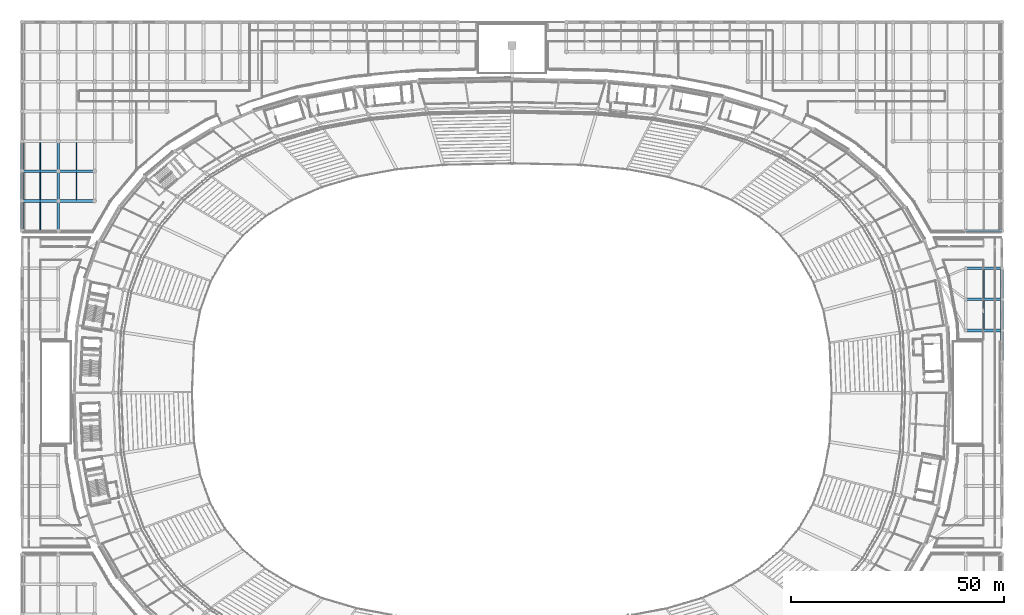
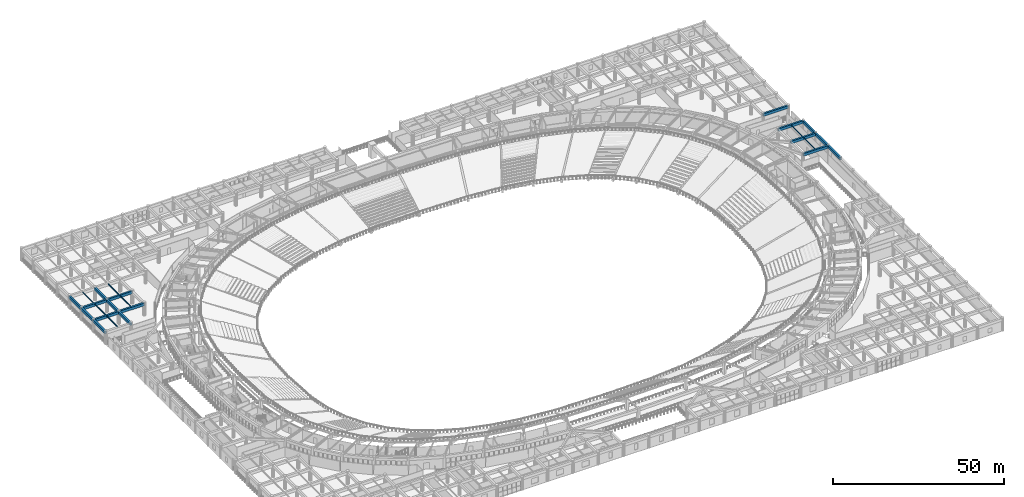
# One storey, part 51 of 137: 24 beams.
"""IFC4 building model written with IfcOpenShell, lengths in metres."""

from ifc_helpers import new_model, si_unit, direction, frame, origin, origin_2d, place, context, subcontext, project, spatial, rectangle, i_section, extrude, material, material_profile, profile_set, type_object, element, save


model = new_model("IFC4")

# Units and contexts
model_context = context("Model", 3, precision=1e-05, world=origin(), true_north=direction((0.0, 1.0)))
body_context = subcontext(model_context, "Body", "Model", "MODEL_VIEW")
ifc_project = project(units=[si_unit("LENGTHUNIT", "METRE"), si_unit("AREAUNIT", "SQUARE_METRE"), si_unit("VOLUMEUNIT", "CUBIC_METRE"), si_unit("PLANEANGLEUNIT", "RADIAN"), si_unit("MASSUNIT", "GRAM", prefix="KILO")], contexts=[model_context])

# Site, building, storey
site_placement = place(None, origin())
site = spatial("IfcSite", under=ifc_project, at=site_placement, CompositionType="ELEMENT")
building_placement = place(site_placement, origin())
building = spatial("IfcBuilding", under=site, at=building_placement, Name="Mphavela Belvedere Stadium", CompositionType="ELEMENT")
storey_placement = place(building_placement, frame((0.0, 0.0, 19.199951171875)))
storey = spatial("IfcBuildingStorey", under=building, at=storey_placement, Name="L04", CompositionType="ELEMENT", Elevation=19.199951171875)

# Beams
ifc_material_1 = material(Name="Concrete C40/50", Category="concrete")
ifc_material_profile_1 = material_profile(ifc_material_1, rectangle(XDim=0.60009765625, YDim=0.949951171875, at=origin_2d()), Name="RC 600x950")
ifc_profile_set_1 = profile_set([ifc_material_profile_1], Name="Concrete C40/50")
beam_type_1 = type_object("IfcBeamType", Name="BM-ENTABLATURE-950", PredefinedType="SPANDREL", material=ifc_profile_set_1)
beam_1_placement = place(storey_placement, frame((0.0, 125.0, 4.06494140625), z_axis=(0.0, 1.0, 0.0), x_axis=(-1.0, 0.0, 0.0)))
element("IfcBeam", 1, at=beam_1_placement, inside=storey, type_object=beam_type_1, Name="North Mast and Ceremonial End Forecourt entablature beam Y L04 1-1", PredefinedType="SPANDREL", context=body_context, shape_type="SweptSolid", body=[
    extrude(rectangle(XDim=0.60009765625, YDim=0.949951171875, at=origin_2d()), origin(), (0.0, 0.0, 1.0), 7.0),
])
beam_2_placement = place(storey_placement, frame((0.0, 132.0, 4.06494140625), z_axis=(1.0, 0.0, 0.0), x_axis=(0.0, 1.0, 0.0)))
element("IfcBeam", 2, at=beam_2_placement, inside=storey, type_object=beam_type_1, Name="North Mast and Ceremonial End Forecourt entablature beam X L04 1-2", PredefinedType="SPANDREL", context=body_context, shape_type="SweptSolid", body=[
    extrude(rectangle(XDim=0.60009765625, YDim=0.949951171875, at=origin_2d()), origin(), (0.0, 0.0, 1.0), 8.51904296875),
])
beam_3_placement = place(storey_placement, frame((0.0, 132.0, 4.06494140625), z_axis=(0.0, 1.0, 0.0), x_axis=(-1.0, 0.0, 0.0)))
element("IfcBeam", 3, at=beam_3_placement, inside=storey, type_object=beam_type_1, Name="North Mast and Ceremonial End Forecourt entablature beam Y L04 1-2", PredefinedType="SPANDREL", context=body_context, shape_type="SweptSolid", body=[
    extrude(rectangle(XDim=0.60009765625, YDim=0.949951171875, at=origin_2d()), origin(), (0.0, 0.0, 1.0), 7.0),
])
beam_4_placement = place(storey_placement, frame((0.0, 139.0, 4.06494140625), z_axis=(1.0, 0.0, 0.0), x_axis=(0.0, 1.0, 0.0)))
element("IfcBeam", 4, at=beam_4_placement, inside=storey, type_object=beam_type_1, Name="North Mast and Ceremonial End Forecourt entablature beam X L04 1-3", PredefinedType="SPANDREL", context=body_context, shape_type="SweptSolid", body=[
    extrude(rectangle(XDim=0.60009765625, YDim=0.949951171875, at=origin_2d()), origin(), (0.0, 0.0, 1.0), 8.51904296875),
])
for number, where, z_axis, x_axis, name in (
    (5, (0.0, 139.0, 4.06494140625), (0.0, 1.0, 0.0), (-1.0, 0.0, 0.0), "North Mast and Ceremonial End Forecourt entablature beam Y L04 1-3"),
    (6, (8.51904296875, 125.0, 4.06494140625), (0.0, 1.0, 0.0), (-1.0, 0.0, 0.0), "North Mast and Ceremonial End Forecourt entablature beam Y L04 2-1"),
):
    element("IfcBeam", number, at=place(storey_placement, frame(where, z_axis=z_axis, x_axis=x_axis)), inside=storey, type_object=beam_type_1, Name=name, PredefinedType="SPANDREL", context=body_context, shape_type="SweptSolid", body=[
        extrude(rectangle(XDim=0.60009765625, YDim=0.949951171875, at=origin_2d()), origin(), (0.0, 0.0, 1.0), 7.0),
    ])
beam_5_placement = place(storey_placement, frame((8.51904296875, 132.0, 4.06494140625), z_axis=(1.0, 0.0, 0.0), x_axis=(0.0, 1.0, 0.0)))
element("IfcBeam", 7, at=beam_5_placement, inside=storey, type_object=beam_type_1, Name="North Mast and Ceremonial End Forecourt entablature beam X L04 2-2", PredefinedType="SPANDREL", context=body_context, shape_type="SweptSolid", body=[
    extrude(rectangle(XDim=0.60009765625, YDim=0.949951171875, at=origin_2d()), origin(), (0.0, 0.0, 1.0), 8.51806640625),
])
beam_6_placement = place(storey_placement, frame((8.51904296875, 132.0, 4.06494140625), z_axis=(0.0, 1.0, 0.0), x_axis=(-1.0, 0.0, 0.0)))
element("IfcBeam", 8, at=beam_6_placement, inside=storey, type_object=beam_type_1, Name="North Mast and Ceremonial End Forecourt entablature beam Y L04 2-2", PredefinedType="SPANDREL", context=body_context, shape_type="SweptSolid", body=[
    extrude(rectangle(XDim=0.60009765625, YDim=0.949951171875, at=origin_2d()), origin(), (0.0, 0.0, 1.0), 7.0),
])
beam_7_placement = place(storey_placement, frame((8.51904296875, 139.0, 4.06494140625), z_axis=(1.0, 0.0, 0.0), x_axis=(0.0, 1.0, 0.0)))
element("IfcBeam", 9, at=beam_7_placement, inside=storey, type_object=beam_type_1, Name="North Mast and Ceremonial End Forecourt entablature beam X L04 2-3", PredefinedType="SPANDREL", context=body_context, shape_type="SweptSolid", body=[
    extrude(rectangle(XDim=0.60009765625, YDim=0.949951171875, at=origin_2d()), origin(), (0.0, 0.0, 1.0), 8.51806640625),
])
beam_8_placement = place(storey_placement, frame((8.51904296875, 139.0, 4.06494140625), z_axis=(0.0, 1.0, 0.0), x_axis=(-1.0, 0.0, 0.0)))
element("IfcBeam", 10, at=beam_8_placement, inside=storey, type_object=beam_type_1, Name="North Mast and Ceremonial End Forecourt entablature beam Y L04 2-3", PredefinedType="SPANDREL", context=body_context, shape_type="SweptSolid", body=[
    extrude(rectangle(XDim=0.60009765625, YDim=0.949951171875, at=origin_2d()), origin(), (0.0, 0.0, 1.0), 7.0),
])
beam_9_placement = place(storey_placement, frame((221.48095703125, 125.0, 4.06494140625), z_axis=(1.0, 0.0, 0.0), x_axis=(0.0, 1.0, 0.0)))
element("IfcBeam", 11, at=beam_9_placement, inside=storey, type_object=beam_type_1, Name="North Mast and Ceremonial End Forecourt entablature beam X L04 27-1", PredefinedType="SPANDREL", context=body_context, shape_type="SweptSolid", body=[
    extrude(rectangle(XDim=0.60009765625, YDim=0.949951171875, at=origin_2d()), origin(), (0.0, 0.0, 1.0), 8.51904296875),
])
for number, where, z_axis, x_axis, name in (
    (12, (221.5, 101.60009765625, 4.06494140625), (1.0, 0.0, 0.0), (0.0, 1.0, 0.0), "East Planted Eaves Peristyle Colonnade entablature beam X L04 8-8"),
    (13, (221.5, 108.89990234375, 4.06494140625), (1.0, 0.0, 0.0), (0.0, 1.0, 0.0), "East Planted Eaves Peristyle Colonnade entablature beam X L04 8-9"),
    (14, (221.5, 116.199951171875, 4.06494140625), (1.0, 0.0, 0.0), (0.0, 1.0, 0.0), "East Planted Eaves Peristyle Colonnade entablature beam X L04 8-10"),
):
    element("IfcBeam", number, at=place(storey_placement, frame(where, z_axis=z_axis, x_axis=x_axis)), inside=storey, type_object=beam_type_1, Name=name, PredefinedType="SPANDREL", context=body_context, shape_type="SweptSolid", body=[
        extrude(rectangle(XDim=0.60009765625, YDim=0.949951171875, at=origin_2d()), origin(), (0.0, 0.0, 1.0), 8.5),
    ])
beam_10_placement = place(storey_placement, frame((230.0, 94.300048828125, 4.06494140625), z_axis=(0.0, 1.0, 0.0), x_axis=(-1.0, 0.0, 0.0)))
element("IfcBeam", 15, at=beam_10_placement, inside=storey, type_object=beam_type_1, Name="East Planted Eaves Peristyle Colonnade entablature beam Y L04 9-7", PredefinedType="SPANDREL", context=body_context, shape_type="SweptSolid", body=[
    extrude(rectangle(XDim=0.60009765625, YDim=0.949951171875, at=origin_2d()), origin(), (0.0, 0.0, 1.0), 7.300048828125),
])
beam_11_placement = place(storey_placement, frame((230.0, 101.60009765625, 4.06494140625), z_axis=(0.0, 1.0, 0.0), x_axis=(-1.0, 0.0, 0.0)))
element("IfcBeam", 16, at=beam_11_placement, inside=storey, type_object=beam_type_1, Name="East Planted Eaves Peristyle Colonnade entablature beam Y L04 9-8", PredefinedType="SPANDREL", context=body_context, shape_type="SweptSolid", body=[
    extrude(rectangle(XDim=0.60009765625, YDim=0.949951171875, at=origin_2d()), origin(), (0.0, 0.0, 1.0), 7.2998046875),
])
beam_12_placement = place(storey_placement, frame((230.0, 108.89990234375, 4.06494140625), z_axis=(0.0, 1.0, 0.0), x_axis=(-1.0, 0.0, 0.0)))
element("IfcBeam", 17, at=beam_12_placement, inside=storey, type_object=beam_type_1, Name="East Planted Eaves Peristyle Colonnade entablature beam Y L04 9-9", PredefinedType="SPANDREL", context=body_context, shape_type="SweptSolid", body=[
    extrude(rectangle(XDim=0.60009765625, YDim=0.949951171875, at=origin_2d()), origin(), (0.0, 0.0, 1.0), 7.300048828125),
])
ifc_material_2 = material(Name="Steel S355", Category="steel")
ifc_material_profile_2 = material_profile(ifc_material_2, i_section(OverallWidth=0.169921875, OverallDepth=0.360107421875, WebThickness=0.008056640625, FlangeThickness=0.0126953125, at=origin_2d()), Name="IPE 360")
ifc_profile_set_2 = profile_set([ifc_material_profile_2], Name="Steel S355")
beam_type_2 = type_object("IfcBeamType", Name="BM-JOIST-IPE360", PredefinedType="JOIST", material=ifc_profile_set_2)
for number, where, z_axis, x_axis, name in (
    (18, (4.259521484375, 125.300048828125, 4.360107421875), (0.0, 1.0, 0.0), (-1.0, 0.0, 0.0), "North Mast and Ceremonial End Forecourt secondary joist L04 1-1"),
    (19, (4.259521484375, 132.300048828125, 4.360107421875), (0.0, 1.0, 0.0), (-1.0, 0.0, 0.0), "North Mast and Ceremonial End Forecourt secondary joist L04 1-2"),
    (20, (4.259521484375, 139.300048828125, 4.360107421875), (0.0, 1.0, 0.0), (-1.0, 0.0, 0.0), "North Mast and Ceremonial End Forecourt secondary joist L04 1-3"),
    (21, (12.778076171875, 132.300048828125, 4.360107421875), (0.0, 1.0, 0.0), (-1.0, 0.0, 0.0), "North Mast and Ceremonial End Forecourt secondary joist L04 2-2"),
    (22, (12.778076171875, 139.300048828125, 4.360107421875), (0.0, 1.0, 0.0), (-1.0, 0.0, 0.0), "North Mast and Ceremonial End Forecourt secondary joist L04 2-3"),
):
    element("IfcBeam", number, at=place(storey_placement, frame(where, z_axis=z_axis, x_axis=x_axis)), inside=storey, type_object=beam_type_2, Name=name, PredefinedType="JOIST", context=body_context, shape_type="SweptSolid", body=[
        extrude(i_section(OverallWidth=0.169921875, OverallDepth=0.360107421875, WebThickness=0.008056640625, FlangeThickness=0.0126953125, at=origin_2d()), origin(), (0.0, 0.0, 1.0), 6.39990234375),
    ])
beam_13_placement = place(storey_placement, frame((225.75, 101.89990234375, 4.360107421875), z_axis=(0.0, 1.0, 0.0), x_axis=(-1.0, 0.0, 0.0)))
element("IfcBeam", 23, at=beam_13_placement, inside=storey, type_object=beam_type_2, Name="East Planted Eaves Peristyle Colonnade secondary joist L04 8-8", PredefinedType="JOIST", context=body_context, shape_type="SweptSolid", body=[
    extrude(i_section(OverallWidth=0.169921875, OverallDepth=0.360107421875, WebThickness=0.008056640625, FlangeThickness=0.0126953125, at=origin_2d()), origin(), (0.0, 0.0, 1.0), 6.7001953125),
])
beam_14_placement = place(storey_placement, frame((225.75, 109.199951171875, 4.360107421875), z_axis=(0.0, 1.0, 0.0), x_axis=(-1.0, 0.0, 0.0)))
element("IfcBeam", 24, at=beam_14_placement, inside=storey, type_object=beam_type_2, Name="East Planted Eaves Peristyle Colonnade secondary joist L04 8-9", PredefinedType="JOIST", context=body_context, shape_type="SweptSolid", body=[
    extrude(i_section(OverallWidth=0.169921875, OverallDepth=0.360107421875, WebThickness=0.008056640625, FlangeThickness=0.0126953125, at=origin_2d()), origin(), (0.0, 0.0, 1.0), 6.699951171875),
])

save(model, "model.ifc")
